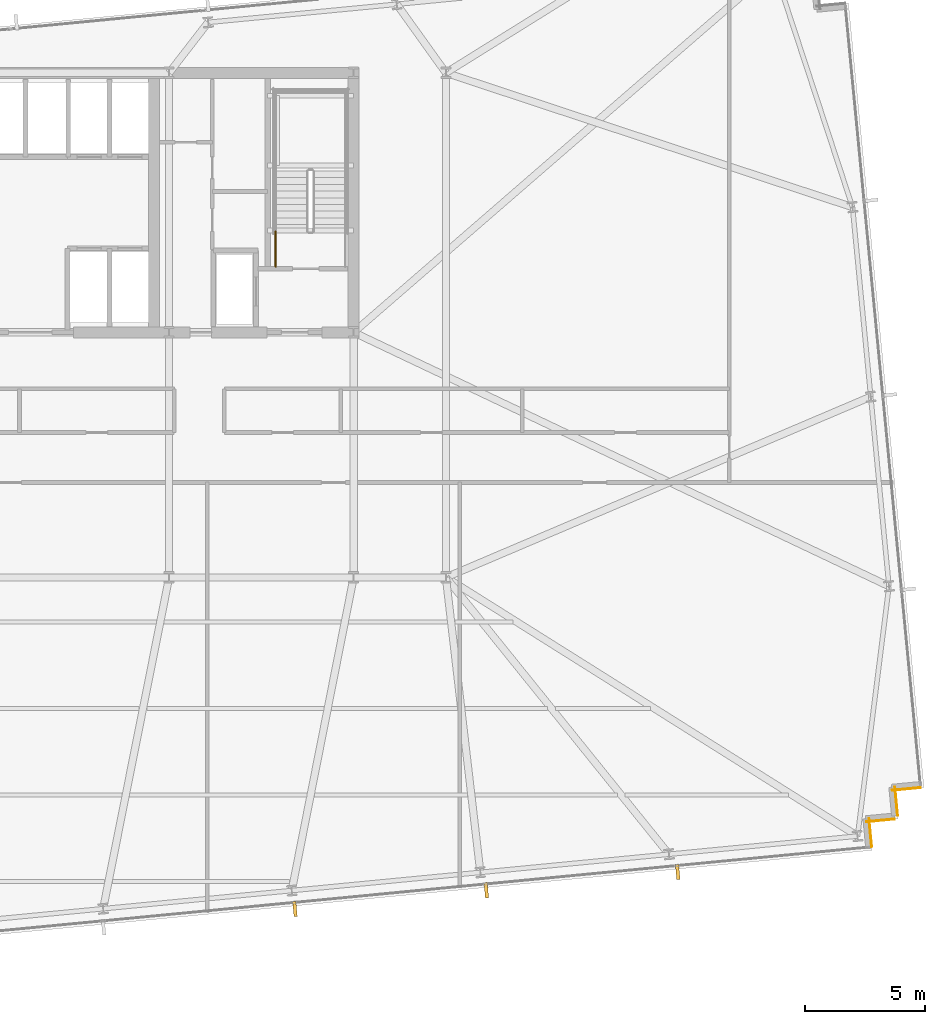
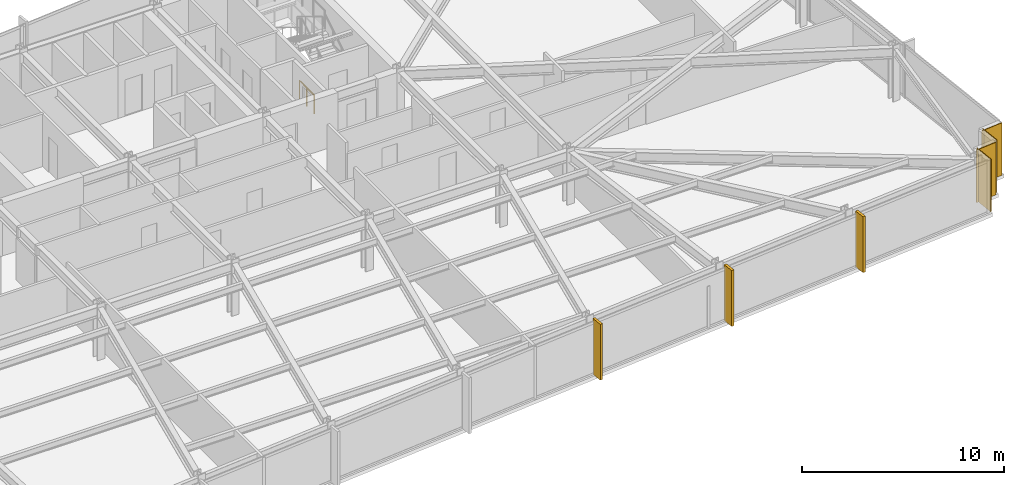
# One storey, part 29 of 32: 4 coverings, 3 shading devices, 1 railing.
"""IFC4 building model written with IfcOpenShell, lengths in metres."""

import ifcopenshell
import ifcopenshell.guid

model = None  # the IFC model being written
_history = None  # IfcOwnerHistory: only IFC2X3 demands one
_inside = {}  # id of a spatial element -> (the spatial element, [elements in it])
_under = {}  # id of a project, library or spatial element -> (it, [spatial elements below it])
_declared = {}  # id of a project -> (the project, [libraries it declares])
_typed = {}  # id of a type object -> (the type object, [elements of that type])
_made_of = {}  # id of a material, layer set ... -> (it, [elements and type objects made of it])


def new_model(schema):
    """Start an empty IFC model of exactly this schema.

    Asked for "IFC4X3", IfcOpenShell would pick the latest addendum, in which some entities
    have other attributes; the version numbers below select the first issue.
    IFC2X3 requires an IfcOwnerHistory on every rooted entity: one is made here for all.
    """
    global model, _history
    if schema == "IFC4X3":
        model = ifcopenshell.file(schema_version=(4, 3, 0, 0))
    else:
        model = ifcopenshell.file(schema=schema)
    _inside.clear()
    _under.clear()
    _declared.clear()
    _typed.clear()
    _made_of.clear()
    _history = None
    if model.schema == "IFC2X3":
        org = make("IfcOrganization", Name="unknown")
        user = make(
            "IfcPersonAndOrganization",
            ThePerson=make("IfcPerson", FamilyName="unknown"),
            TheOrganization=org,
        )
        app = make(
            "IfcApplication",
            ApplicationDeveloper=org,
            Version="unknown",
            ApplicationFullName="unknown",
            ApplicationIdentifier="unknown",
        )
        _history = make(
            "IfcOwnerHistory",
            OwningUser=user,
            OwningApplication=app,
            ChangeAction="ADDED",
            CreationDate=0,
        )
    return model


def make(cls, **values):
    """One entity of the class cls with the attributes given. An attribute that is None is left unset."""
    return model.create_entity(
        cls, **{name: value for name, value in values.items() if value is not None}
    )


def rooted(cls, **values):
    """An entity with a GlobalId (a new one), such as an element, a storey or a relation."""
    return make(cls, GlobalId=ifcopenshell.guid.new(), OwnerHistory=_history, **values)


def si_unit(unit_type, name, prefix=None):
    """IfcSIUnit, for example si_unit("LENGTHUNIT", "METRE", prefix="MILLI")."""
    return make("IfcSIUnit", UnitType=unit_type, Prefix=prefix, Name=name)


def assignment(units):
    """IfcUnitAssignment: the units of a project."""
    return None if units is None else make("IfcUnitAssignment", Units=units)


def point(xyz):
    """IfcCartesianPoint."""
    return None if xyz is None else make("IfcCartesianPoint", Coordinates=xyz)


def direction(xyz):
    """IfcDirection."""
    return None if xyz is None else make("IfcDirection", DirectionRatios=xyz)


def frame(location, z_axis=None, x_axis=None):
    """IfcAxis2Placement3D, a coordinate frame: its origin and axes. An axis left out is left unset."""
    return make(
        "IfcAxis2Placement3D",
        Location=point(location),
        Axis=direction(z_axis),
        RefDirection=direction(x_axis),
    )


def frame_2d(location, x_axis=None):
    """IfcAxis2Placement2D, a coordinate frame in the plane: its origin and x axis."""
    return make(
        "IfcAxis2Placement2D", Location=point(location), RefDirection=direction(x_axis)
    )


def origin():
    """The frame at (0, 0, 0) with its axes left unset."""
    return frame((0.0, 0.0, 0.0))


def origin_2d():
    """The frame at (0, 0) in the plane with its x axis left unset."""
    return frame_2d((0.0, 0.0))


def place(relative_to, where):
    """IfcLocalPlacement: puts the frame where relative to a parent placement (None: the world)."""
    return make(
        "IfcLocalPlacement", PlacementRelTo=relative_to, RelativePlacement=where
    )


def context(
    kind, dimensions, precision=None, world=None, true_north=None, identifier=None
):
    """IfcGeometricRepresentationContext, for example the 3D "Model" context."""
    return make(
        "IfcGeometricRepresentationContext",
        ContextIdentifier=identifier,
        ContextType=kind,
        CoordinateSpaceDimension=dimensions,
        Precision=precision,
        WorldCoordinateSystem=world,
        TrueNorth=true_north,
    )


def subcontext(parent, identifier, kind, view, scale=None):
    """IfcGeometricRepresentationSubContext, for example "Body" below "Model"."""
    return make(
        "IfcGeometricRepresentationSubContext",
        ContextIdentifier=identifier,
        ContextType=kind,
        ParentContext=parent,
        TargetScale=scale,
        TargetView=view,
    )


def project(units=None, contexts=None):
    """IfcProject with its units and contexts."""
    return rooted(
        "IfcProject",
        Name="project",
        RepresentationContexts=contexts,
        UnitsInContext=assignment(units),
    )


def spatial(cls, under=None, at=None, **own):
    """A site, building, storey or space (cls), placed at a placement, below another one or the project."""
    s = rooted(cls, ObjectPlacement=at, **own)
    if under is not None:
        _under.setdefault(under.id(), (under, []))[1].append(s)
    return s


def profile(cls, at=None, kind="AREA", **sizes):
    """A parametric profile (cls). Its sizes go by their IFC names, for example OverallWidth=200.0."""
    return make(cls, ProfileType=kind, Position=at, **sizes)


def rectangle(**sizes):
    """IfcRectangleProfileDef."""
    return profile("IfcRectangleProfileDef", **sizes)


def circle(**sizes):
    """IfcCircleProfileDef."""
    return profile("IfcCircleProfileDef", **sizes)


def extrude(swept, where, along, depth):
    """IfcExtrudedAreaSolid: the profile swept, set in the frame where, extruded along a direction by depth."""
    return make(
        "IfcExtrudedAreaSolid",
        SweptArea=swept,
        Position=where,
        ExtrudedDirection=direction(along),
        Depth=depth,
    )


def shape(context_of_items, identifier, shape_type, items):
    """IfcShapeRepresentation: the items that make up one representation, for example the "Body"."""
    return make(
        "IfcShapeRepresentation",
        ContextOfItems=context_of_items,
        RepresentationIdentifier=identifier,
        RepresentationType=shape_type,
        Items=items,
    )


def material(Name=None, Category=None):
    """IfcMaterial."""
    return make("IfcMaterial", Name=Name, Category=Category)


def layer(
    of_material, thickness, ventilated=None, Name=None, Category=None, Priority=None
):
    """IfcMaterialLayer: one layer of a wall or slab, of a material (None: an air gap)."""
    return make(
        "IfcMaterialLayer",
        Material=of_material,
        LayerThickness=thickness,
        IsVentilated=ventilated,
        Name=Name,
        Category=Category,
        Priority=Priority,
    )


def layer_set(layers, Name=None):
    """IfcMaterialLayerSet."""
    return make("IfcMaterialLayerSet", MaterialLayers=layers, LayerSetName=Name)


def made_of(thing, what):
    """Note that an element or type object is made of a material, layer set ...; save() writes the relation."""
    if what is not None:
        _made_of.setdefault(what.id(), (what, []))[1].append(thing)
    return thing


def type_object(cls, material=None, **own):
    """A type object (cls), such as IfcWallType, which elements share."""
    return made_of(rooted(cls, **own), material)


def element(
    cls,
    number,
    at=None,
    inside=None,
    cuts=None,
    type_object=None,
    material=None,
    context=None,
    identifier="Body",
    shape_type=None,
    held_by="IfcProductDefinitionShape",
    body=None,
    shapes=None,
    **own,
):
    """One element of the class cls, such as IfcWall. Its Tag is "e" and its number.

    at: its placement. inside: the storey or other place that contains it. cuts: it is an
    opening in that element (IfcRelVoidsElement). A single representation is given by context,
    identifier, shape_type and body (its items); several are given by shapes. held_by: the class
    of the entity that holds the representations. save() writes the other relations.
    """
    e = rooted(cls, Tag="e%d" % number, ObjectPlacement=at, **own)
    if body is not None:
        shapes = [shape(context, identifier, shape_type, body)]
    if shapes is not None:
        e.Representation = make(held_by, Representations=shapes)
    if inside is not None:
        _inside.setdefault(inside.id(), (inside, []))[1].append(e)
    if cuts is not None:
        rooted(
            "IfcRelVoidsElement", RelatingBuildingElement=cuts, RelatedOpeningElement=e
        )
    if type_object is not None:
        _typed.setdefault(type_object.id(), (type_object, []))[1].append(e)
    return made_of(e, material)


def aggregate(whole, parts):
    """IfcRelAggregates: a whole, such as a stair, and the parts it consists of."""
    return rooted("IfcRelAggregates", RelatingObject=whole, RelatedObjects=parts)


def save(model, path):
    """Write the relations noted so far, then the file.

    IfcRelAggregates (storeys below a building ...), IfcRelContainedInSpatialStructure (elements
    in a storey), IfcRelDefinesByType, IfcRelAssociatesMaterial and IfcRelDeclares: one each for
    every whole, place, type object, material and project.
    """
    for whole, parts in _under.values():
        aggregate(whole, parts)
    for where, things in _inside.values():
        rooted(
            "IfcRelContainedInSpatialStructure",
            RelatedElements=things,
            RelatingStructure=where,
        )
    for kind, things in _typed.values():
        rooted("IfcRelDefinesByType", RelatedObjects=things, RelatingType=kind)
    for what, things in _made_of.values():
        rooted("IfcRelAssociatesMaterial", RelatedObjects=things, RelatingMaterial=what)
    for by, libraries in _declared.values():
        rooted("IfcRelDeclares", RelatingContext=by, RelatedDefinitions=libraries)
    model.write(path)


model = new_model("IFC4")

# Units and contexts
model_context = context("Model", 3, precision=1e-05, world=origin(), true_north=direction((0.0, 1.0)))
body_context = subcontext(model_context, "Body", "Model", "MODEL_VIEW")
ifc_project = project(units=[si_unit("LENGTHUNIT", "METRE"), si_unit("AREAUNIT", "SQUARE_METRE"), si_unit("VOLUMEUNIT", "CUBIC_METRE"), si_unit("PLANEANGLEUNIT", "RADIAN"), si_unit("MASSUNIT", "GRAM", prefix="KILO")], contexts=[model_context])

# Site, building, storey
site_placement = place(None, origin())
site = spatial("IfcSite", under=ifc_project, at=site_placement, CompositionType="ELEMENT")
building_placement = place(site_placement, origin())
building = spatial("IfcBuilding", under=site, at=building_placement, Name="Yelkora Congress Tower", CompositionType="ELEMENT")
storey_placement = place(building_placement, frame((0.0, 0.0, 120.300048828125)))
storey = spatial("IfcBuildingStorey", under=building, at=storey_placement, Name="L32", CompositionType="ELEMENT", Elevation=120.300048828125)

# Coverings
ifc_material_1 = material(Name="Anatolian bush-hammered limestone", Category="masonry")
ifc_layer_1 = layer(ifc_material_1, 0.0400390625)
ifc_layer_set_1 = layer_set([ifc_layer_1], Name="Anatolian bush-hammered limestone")
covering_type = type_object("IfcCoveringType", Name="COV-CLAD-SPANDREL-40", PredefinedType="CLADDING", material=ifc_layer_set_1)
for number, where, z_axis, x_axis, name in (
    (1, (77.360595703125, 16.451416015625, 0.0), (0.0, 0.0, 1.0), (-0.995377661201, -0.096038073607, 0.0), "L32 Anatolian Limestone Cladding EW-L32-SR16"),
    (2, (76.28759765625, 16.483642578125, 0.0), (0.0, 0.0, 1.0), (0.095836473879, -0.995397091755, 0.0), "L32 Anatolian Limestone Cladding EW-L32-SR17"),
    (3, (76.28125, 15.141845703125, 0.0), (0.0, 0.0, 1.0), (-0.995397091755, -0.095836473879, 0.0), "L32 Anatolian Limestone Cladding EW-L32-SR18"),
):
    element("IfcCovering", number, at=place(storey_placement, frame(where, z_axis=z_axis, x_axis=x_axis)), inside=storey, type_object=covering_type, Name=name, PredefinedType="CLADDING", context=body_context, shape_type="SweptSolid", body=[
        extrude(rectangle(XDim=1.199951171875, YDim=0.0400390625, at=frame_2d((0.60009765625, 0.0))), origin(), (0.0, 0.0, 1.0), 3.179931640625),
    ])
covering_placement = place(storey_placement, frame((75.208251953125, 15.17431640625, 0.0), z_axis=(0.0, 0.0, 1.0), x_axis=(0.095817067274, -0.995398960025, 0.0)))
element("IfcCovering", 4, at=covering_placement, inside=storey, type_object=covering_type, Name="L32 Anatolian Limestone Cladding EW-L32-SR19", PredefinedType="CLADDING", context=body_context, shape_type="SweptSolid", body=[
    extrude(rectangle(XDim=1.2001953125, YDim=0.0400390625, at=frame_2d((0.60009765625, 0.0))), origin(), (0.0, 0.0, 1.0), 3.179931640625),
])

# Railing
ifc_material_2 = material(Name="Painted galvanised steel stair well guard with vertical infill", Category="steel")
ifc_layer_2 = layer(ifc_material_2, 0.06005859375)
ifc_layer_set_2 = layer_set([ifc_layer_2], Name="Painted galvanised steel stair well guard with vertical infill")
railing_type = type_object("IfcRailingType", Name="RAIL-STAIR-GUARD-1120", PredefinedType="GUARDRAIL", material=ifc_layer_set_2)
railing_placement = place(storey_placement, frame((50.510009765625, 38.1201171875, 0.0)))
element("IfcRailing", 5, at=railing_placement, inside=storey, type_object=railing_type, Name="ST-02 L32 Stair Well Guardrail 9", PredefinedType="GUARDRAIL", context=body_context, shape_type="SweptSolid", body=[
    extrude(circle(Radius=0.02392578125, at=origin_2d()), frame((0.0, 0.0, 1.09619140625), z_axis=(0.0, 1.0, 0.0), x_axis=(-1.0, 0.0, 0.0)), (0.0, 0.0, 1.0), 1.47998046875),
    extrude(circle(Radius=0.02099609375, at=origin_2d()), origin(), (0.0, 0.0, 1.0), 1.072021484375),
    extrude(circle(Radius=0.02099609375, at=origin_2d()), frame((0.0, 0.739990234375, 0.0)), (0.0, 0.0, 1.0), 1.072021484375),
    extrude(circle(Radius=0.02099609375, at=origin_2d()), frame((0.0, 1.47998046875, 0.0)), (0.0, 0.0, 1.0), 1.072021484375),
])

# Shading devices
ifc_material_3 = material(Name="Champagne anodised aluminium", Category="aluminium")
ifc_layer_3 = layer(ifc_material_3, 3.39990234375)
ifc_layer_set_3 = layer_set([ifc_layer_3], Name="Champagne anodised aluminium")
shading_device_type = type_object("IfcShadingDeviceType", Name="SHD-FIN-ALU-640", PredefinedType="USERDEFINED", material=ifc_layer_set_3)
for number, where, z_axis, x_axis, name in (
    (6, (67.247802734375, 12.94091796875, -0.030029296875), (0.0, 0.0, 1.0), (-0.995396198367, -0.09584575252, 0.0), "L32 Vertical Anodised Solar Fin 20-1"),
    (7, (59.28173828125, 12.173828125, -0.030029296875), (0.0, 0.0, 1.0), (-0.995396198367, -0.09584575252, 0.0), "L32 Vertical Anodised Solar Fin 20-2"),
    (8, (51.315673828125, 11.40673828125, -0.030029296875), (0.0, 0.0, 1.0), (-0.995396198367, -0.09584575252, 0.0), "L32 Vertical Anodised Solar Fin 20-3"),
):
    element("IfcShadingDevice", number, at=place(storey_placement, frame(where, z_axis=z_axis, x_axis=x_axis)), inside=storey, type_object=shading_device_type, Name=name, ObjectType="FIN", PredefinedType="USERDEFINED", context=body_context, shape_type="SweptSolid", body=[
        extrude(rectangle(XDim=0.139892578125, YDim=0.639892578125, at=origin_2d()), origin(), (0.0, 0.0, 1.0), 3.3798828125),
    ])

save(model, "model.ifc")
